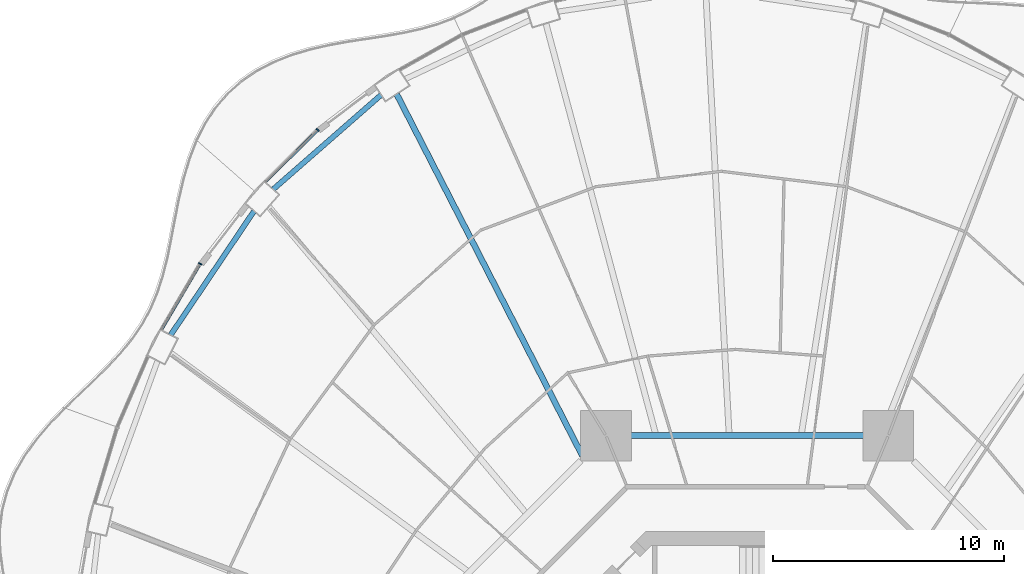
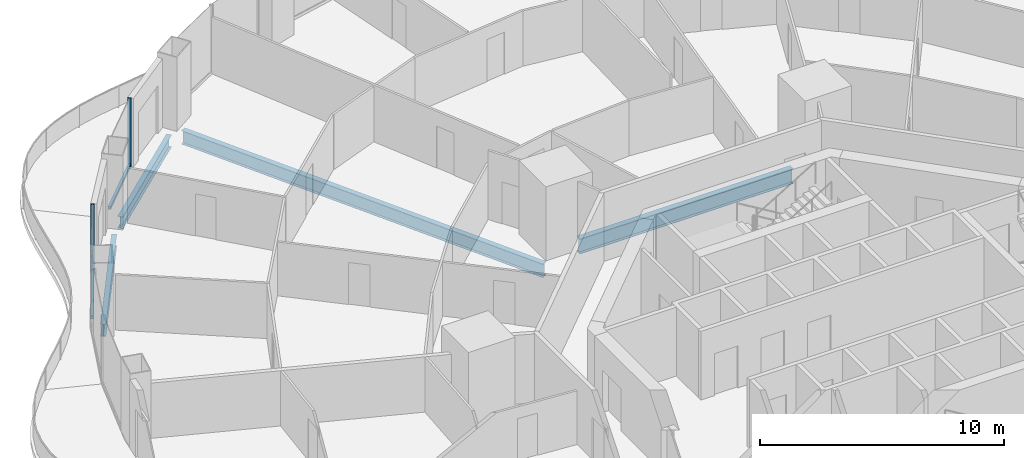
# One storey, part 8 of 22: 4 beams, 4 members, 2 elements without a shape of their own.
"""IFC4 building model written with IfcOpenShell, lengths in metres."""

from ifc_helpers import new_model, si_unit, direction, frame, origin, origin_2d, place, context, subcontext, project, spatial, rectangle, i_section, extrude, material, layer, layer_set, material_profile, profile_set, type_object, element, aggregate, save


model = new_model("IFC4")

# Units and contexts
model_context = context("Model", 3, precision=1e-05, world=origin(), true_north=direction((0.0, 1.0)))
body_context = subcontext(model_context, "Body", "Model", "MODEL_VIEW")
ifc_project = project(units=[si_unit("LENGTHUNIT", "METRE"), si_unit("AREAUNIT", "SQUARE_METRE"), si_unit("VOLUMEUNIT", "CUBIC_METRE"), si_unit("PLANEANGLEUNIT", "RADIAN"), si_unit("MASSUNIT", "GRAM", prefix="KILO")], contexts=[model_context])

# Site, building, storey
site_placement = place(None, origin())
site = spatial("IfcSite", under=ifc_project, at=site_placement, CompositionType="ELEMENT")
building_placement = place(site_placement, origin())
building = spatial("IfcBuilding", under=site, at=building_placement, Name="Nagisa Residences", CompositionType="ELEMENT")
storey_placement = place(building_placement, frame((0.0, 0.0, 80.699951171875)))
storey = spatial("IfcBuildingStorey", under=building, at=storey_placement, Name="L19", CompositionType="ELEMENT", Elevation=80.699951171875)

# Curtain wall, member
ifc_material_1 = material(Name="Concrete-coloured aluminium curtain wall system", Category="concrete")
ifc_layer = layer(ifc_material_1, 0.159912109375)
ifc_layer_set = layer_set([ifc_layer], Name="CW1 CURTAIN WALL")
curtain_wall_type = type_object("IfcCurtainWallType", Name="CW1 CURTAIN WALL", PredefinedType="NOTDEFINED", material=ifc_layer_set)
curtain_wall_1_placement = place(storey_placement, origin())
curtain_wall_1 = element("IfcCurtainWall", 1, at=curtain_wall_1_placement, inside=storey, type_object=curtain_wall_type, Name="cw:CW1:L19:17", PredefinedType="NOTDEFINED")
ifc_material_2 = material(Name="Concrete-coloured aluminium", Category="concrete")
ifc_material_profile_1 = material_profile(ifc_material_2, rectangle(XDim=0.159912109375, YDim=0.06005859375, at=origin_2d()), Name="CW1 MULLION 160x60")
ifc_profile_set_1 = profile_set([ifc_material_profile_1], Name="Concrete-coloured aluminium")
member_type_1 = type_object("IfcMemberType", Name="CW1 MULLION 160x60", PredefinedType="MULLION", material=ifc_profile_set_1)
member_1_placement = place(storey_placement, frame((-18.624267578125, 28.04248046875, 0.0), z_axis=(0.0, 0.0, 1.0), x_axis=(0.706376885714, -0.707835924016, 0.0)))
member_1 = element("IfcMember", 2, at=member_1_placement, type_object=member_type_1, Name="CW1 mullion", PredefinedType="MULLION", context=body_context, shape_type="SweptSolid", body=[
    extrude(rectangle(XDim=0.159912109375, YDim=0.06005859375, at=origin_2d()), origin(), (0.0, 0.0, 1.0), 3.43994140625),
])

curtain_wall_2_placement = place(storey_placement, origin())
curtain_wall_2 = element("IfcCurtainWall", 3, at=curtain_wall_2_placement, inside=storey, type_object=curtain_wall_type, Name="cw:CW1:L19:19", PredefinedType="NOTDEFINED")
member_2_placement = place(storey_placement, frame((-23.718017578125, 22.236328125, 0.0), z_axis=(0.0, 0.0, 1.0), x_axis=(0.862328898214, -0.506348567002, 0.0)))
member_2 = element("IfcMember", 4, at=member_2_placement, type_object=member_type_1, Name="CW1 mullion", PredefinedType="MULLION", context=body_context, shape_type="SweptSolid", body=[
    extrude(rectangle(XDim=0.159912109375, YDim=0.06005859375, at=origin_2d()), origin(), (0.0, 0.0, 1.0), 3.43994140625),
])

# Member
ifc_material_3 = material(Name="Concrete-coloured aluminium", Category="concrete")
ifc_material_profile_2 = material_profile(ifc_material_3, rectangle(XDim=0.1201171875, YDim=0.14990234375, at=origin_2d()), Name="CW1 TRANSOM 120x150")
ifc_profile_set_2 = profile_set([ifc_material_profile_2], Name="Concrete-coloured aluminium")
member_type_2 = type_object("IfcMemberType", Name="CW1 TRANSOM 120x150", PredefinedType="USERDEFINED", material=ifc_profile_set_2)
member_3_placement = place(storey_placement, frame((-18.60302734375, 28.0634765625, 0.074951171875), z_axis=(-0.707869817944, -0.706342920149, 0.0), x_axis=(0.706342920149, -0.707869817944, 0.0)))
member_3 = element("IfcMember", 5, at=member_3_placement, type_object=member_type_2, Name="CW1 transom", ObjectType="TRANSOM", PredefinedType="USERDEFINED", context=body_context, shape_type="SweptSolid", body=[
    extrude(rectangle(XDim=0.1201171875, YDim=0.14990234375, at=origin_2d()), origin(), (0.0, 0.0, 1.0), 3.19775390625),
])

aggregate(curtain_wall_1, [member_1, member_3])

member_4_placement = place(storey_placement, frame((-23.702880859375, 22.26220703125, 0.074951171875), z_axis=(-0.506384588027, -0.862307746114, 0.0), x_axis=(0.862307746114, -0.506384588027, 0.0)))
member_4 = element("IfcMember", 6, at=member_4_placement, type_object=member_type_2, Name="CW1 transom", ObjectType="TRANSOM", PredefinedType="USERDEFINED", context=body_context, shape_type="SweptSolid", body=[
    extrude(rectangle(XDim=0.1201171875, YDim=0.14990234375, at=origin_2d()), origin(), (0.0, 0.0, 1.0), 3.32470703125),
])

aggregate(curtain_wall_2, [member_2, member_4])

# Beams
ifc_material_4 = material(Name="Steel ASTM A572 Gr 50", Category="steel")
ifc_material_profile_3 = material_profile(ifc_material_4, i_section(OverallWidth=0.264892578125, OverallDepth=0.7529296875, WebThickness=0.01318359375, FlangeThickness=0.01708984375, at=origin_2d()), Name="W760x147")
ifc_profile_set_3 = profile_set([ifc_material_profile_3], Name="Steel ASTM A572 Gr 50")
beam_type_1 = type_object("IfcBeamType", Name="Inner ring beam W760x147", PredefinedType="BEAM", material=ifc_profile_set_3)
beam_1_placement = place(storey_placement, frame((5.04296875, 14.781982421875, -0.636474609375), z_axis=(-1.0, 0.0, 0.0), x_axis=(0.0, -1.0, 0.0)))
element("IfcBeam", 7, at=beam_1_placement, inside=storey, type_object=beam_type_1, Name="beam:L19:ib2", PredefinedType="BEAM", context=body_context, shape_type="SweptSolid", body=[
    extrude(i_section(OverallWidth=0.264892578125, OverallDepth=0.7529296875, WebThickness=0.01318359375, FlangeThickness=0.01708984375, at=origin_2d()), origin(), (0.0, 0.0, 1.0), 10.0859375),
])
ifc_material_5 = material(Name="Steel ASTM A572 Gr 50", Category="steel")
ifc_material_profile_4 = material_profile(ifc_material_5, i_section(OverallWidth=0.22802734375, OverallDepth=0.60302734375, WebThickness=0.010498046875, FlangeThickness=0.014892578125, at=origin_2d()), Name="W610x101")
ifc_profile_set_4 = profile_set([ifc_material_profile_4], Name="Steel ASTM A572 Gr 50")
beam_type_2 = type_object("IfcBeamType", Name="Perimeter ring beam W610x101", PredefinedType="BEAM", material=ifc_profile_set_4)
beam_2_placement = place(storey_placement, frame((-15.876220703125, 29.55859375, -0.5615234375), z_axis=(-0.752542612886, -0.658543556488, 0.0), x_axis=(0.658543556488, -0.752542612886, 0.0)))
element("IfcBeam", 8, at=beam_2_placement, inside=storey, type_object=beam_type_2, Name="beam:L19:pb09", PredefinedType="BEAM", context=body_context, shape_type="SweptSolid", body=[
    extrude(i_section(OverallWidth=0.22802734375, OverallDepth=0.60302734375, WebThickness=0.010498046875, FlangeThickness=0.014892578125, at=origin_2d()), origin(), (0.0, 0.0, 1.0), 6.212646484375),
])
beam_3_placement = place(storey_placement, frame((-21.384521484375, 24.521484375, -0.5615234375), z_axis=(-0.558221079259, -0.829692248168, 0.0), x_axis=(0.829692248168, -0.558221079259, 0.0)))
element("IfcBeam", 9, at=beam_3_placement, inside=storey, type_object=beam_type_2, Name="beam:L19:pb10", PredefinedType="BEAM", context=body_context, shape_type="SweptSolid", body=[
    extrude(i_section(OverallWidth=0.22802734375, OverallDepth=0.60302734375, WebThickness=0.010498046875, FlangeThickness=0.014892578125, at=origin_2d()), origin(), (0.0, 0.0, 1.0), 6.471435546875),
])
ifc_material_6 = material(Name="Steel ASTM A572 Gr 50", Category="steel")
ifc_material_profile_5 = material_profile(ifc_material_6, i_section(OverallWidth=0.2529296875, OverallDepth=0.677978515625, WebThickness=0.01171875, FlangeThickness=0.016357421875, at=origin_2d()), Name="W690x125")
ifc_profile_set_5 = profile_set([ifc_material_profile_5], Name="Steel ASTM A572 Gr 50")
beam_type_3 = type_object("IfcBeamType", Name="Radial beam W690x125", PredefinedType="BEAM", material=ifc_profile_set_5)
beam_4_placement = place(storey_placement, frame((-15.199951171875, 29.5927734375, -0.598876953125), z_axis=(0.456890609608, -0.889522889448, 0.0), x_axis=(0.889522889448, 0.456890609608, 0.0)))
element("IfcBeam", 10, at=beam_4_placement, inside=storey, type_object=beam_type_3, Name="beam:L19:rb09", PredefinedType="BEAM", context=body_context, shape_type="SweptSolid", body=[
    extrude(i_section(OverallWidth=0.2529296875, OverallDepth=0.677978515625, WebThickness=0.01171875, FlangeThickness=0.016357421875, at=origin_2d()), origin(), (0.0, 0.0, 1.0), 17.622314453125),
])

save(model, "model.ifc")
